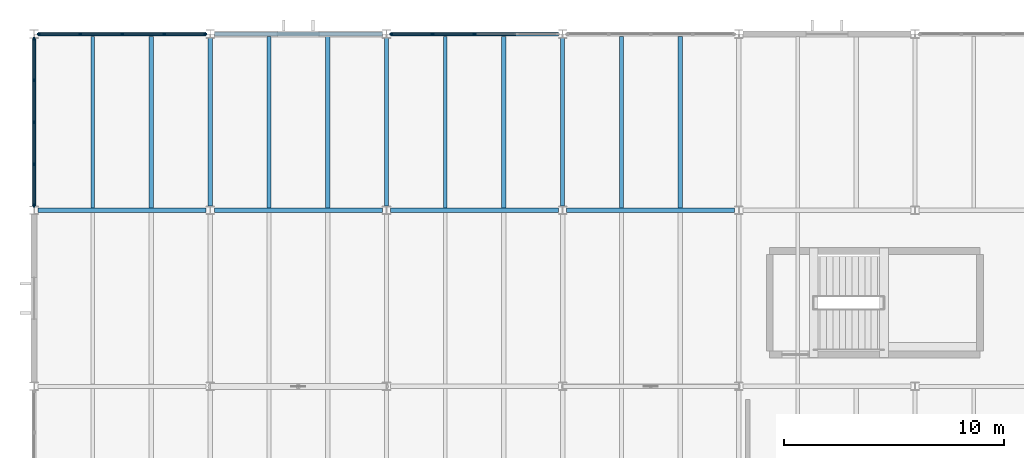
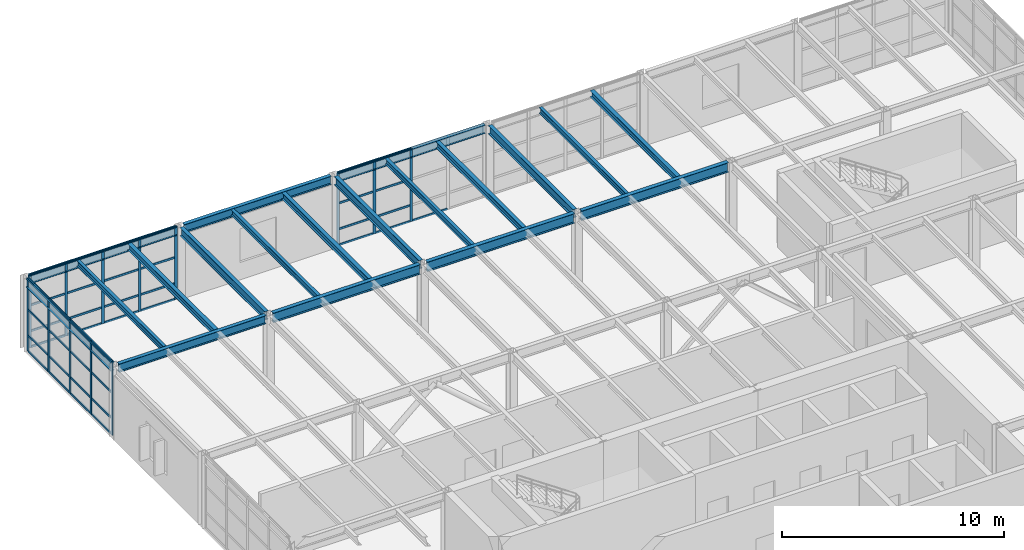
# One storey, part 18 of 50: 54 members, 19 beams, 3 elements without a shape of their own.
"""IFC4 building model written with IfcOpenShell, lengths in metres."""

from ifc_helpers import new_model, si_unit, direction, frame, origin, origin_2d, place, context, subcontext, project, spatial, rectangle, i_section, extrude, material, layer, layer_set, material_profile, profile_set, type_object, element, aggregate, save


model = new_model("IFC4")

# Units and contexts
model_context = context("Model", 3, precision=1e-05, world=origin(), true_north=direction((0.0, 1.0)))
body_context = subcontext(model_context, "Body", "Model", "MODEL_VIEW")
ifc_project = project(units=[si_unit("LENGTHUNIT", "METRE"), si_unit("AREAUNIT", "SQUARE_METRE"), si_unit("VOLUMEUNIT", "CUBIC_METRE"), si_unit("PLANEANGLEUNIT", "RADIAN"), si_unit("MASSUNIT", "GRAM", prefix="KILO")], contexts=[model_context])

# Site, building, storey
site_placement = place(None, origin())
site = spatial("IfcSite", under=ifc_project, at=site_placement, CompositionType="ELEMENT")
building_placement = place(site_placement, origin())
building = spatial("IfcBuilding", under=site, at=building_placement, Name="Varnela Railside Interchange", CompositionType="ELEMENT")
storey_placement = place(building_placement, frame((0.0, 0.0, 15.39990234375)))
storey = spatial("IfcBuildingStorey", under=building, at=storey_placement, Name="L03", CompositionType="ELEMENT", Elevation=15.39990234375)

# Beams
ifc_material_1 = material(Name="Steel AR 350 (350 MPa)", Category="steel")
ifc_material_profile_1 = material_profile(ifc_material_1, i_section(OverallWidth=0.1650390625, OverallDepth=0.31005859375, WebThickness=0.005859375, FlangeThickness=0.009765625, at=origin_2d()), Name="W310x38.7")
ifc_profile_set_1 = profile_set([ifc_material_profile_1], Name="Steel AR 350 (350 MPa)")
beam_type_1 = type_object("IfcBeamType", Name="Composite Floor Joist J-04", PredefinedType="JOIST", material=ifc_profile_set_1)
for number, where, z_axis, x_axis, name in (
    (1, (6.669921875, 86.1044921875, 3.84521484375), (0.0, 1.0, 0.0), (-1.0, 0.0, 0.0), "Composite Floor Joist J-04 (L03) (BM-2118)"),
    (2, (14.669921875, 86.1044921875, 3.84521484375), (0.0, 1.0, 0.0), (-1.0, 0.0, 0.0), "Composite Floor Joist J-04 (L03) (BM-2167)"),
    (3, (22.669921875, 86.1044921875, 3.84521484375), (0.0, 1.0, 0.0), (-1.0, 0.0, 0.0), "Composite Floor Joist J-04 (L03) (BM-2175)"),
    (4, (30.669921875, 86.1044921875, 3.84521484375), (0.0, 1.0, 0.0), (-1.0, 0.0, 0.0), "Composite Floor Joist J-04 (L03) (BM-2183)"),
):
    element("IfcBeam", number, at=place(storey_placement, frame(where, z_axis=z_axis, x_axis=x_axis)), inside=storey, type_object=beam_type_1, Name=name, PredefinedType="JOIST", context=body_context, shape_type="SweptSolid", body=[
        extrude(i_section(OverallWidth=0.1650390625, OverallDepth=0.31005859375, WebThickness=0.005859375, FlangeThickness=0.009765625, at=origin_2d()), origin(), (0.0, 0.0, 1.0), 7.791015625),
    ])
ifc_material_profile_2 = material_profile(ifc_material_1, i_section(OverallWidth=0.208984375, OverallDepth=0.532958984375, WebThickness=0.01025390625, FlangeThickness=0.015625, at=origin_2d()), Name="W530x92")
ifc_profile_set_2 = profile_set([ifc_material_profile_2], Name="Steel AR 350 (350 MPa)")
beam_type_2 = type_object("IfcBeamType", Name="Composite Girder B-18", PredefinedType="BEAM", material=ifc_profile_set_2)
for number, where, z_axis, x_axis, name in (
    (5, (12.1865234375, 86.0, 3.733642578125), (1.0, 0.0, 0.0), (0.0, 1.0, 0.0), "Composite Girder B-18 (L03) (BM-2260)"),
    (6, (20.1865234375, 86.0, 3.733642578125), (1.0, 0.0, 0.0), (0.0, 1.0, 0.0), "Composite Girder B-18 (L03) (BM-2262)"),
    (7, (28.1865234375, 86.0, 3.733642578125), (1.0, 0.0, 0.0), (0.0, 1.0, 0.0), "Composite Girder B-18 (L03) (BM-2263)"),
):
    element("IfcBeam", number, at=place(storey_placement, frame(where, z_axis=z_axis, x_axis=x_axis)), inside=storey, type_object=beam_type_2, Name=name, PredefinedType="BEAM", context=body_context, shape_type="SweptSolid", body=[
        extrude(i_section(OverallWidth=0.208984375, OverallDepth=0.532958984375, WebThickness=0.01025390625, FlangeThickness=0.015625, at=origin_2d()), origin(), (0.0, 0.0, 1.0), 7.626953125),
    ])
ifc_material_profile_3 = material_profile(ifc_material_1, i_section(OverallWidth=0.202880859375, OverallDepth=0.346923828125, WebThickness=0.0078125, FlangeThickness=0.013427734375, at=origin_2d()), Name="W360x64")
ifc_profile_set_3 = profile_set([ifc_material_profile_3], Name="Steel AR 350 (350 MPa)")
beam_type_3 = type_object("IfcBeamType", Name="Composite Heavy Joist J-01", PredefinedType="JOIST", material=ifc_profile_set_3)
for number, where, z_axis, x_axis, name in (
    (8, (9.330078125, 86.1044921875, 3.82666015625), (0.0, 1.0, 0.0), (-1.0, 0.0, 0.0), "Composite Heavy Joist J-01 (L03) (BM-2119)"),
    (9, (17.330078125, 86.1044921875, 3.82666015625), (0.0, 1.0, 0.0), (-1.0, 0.0, 0.0), "Composite Heavy Joist J-01 (L03) (BM-2168)"),
    (10, (25.330078125, 86.1044921875, 3.82666015625), (0.0, 1.0, 0.0), (-1.0, 0.0, 0.0), "Composite Heavy Joist J-01 (L03) (BM-2176)"),
    (11, (33.330078125, 86.1044921875, 3.82666015625), (0.0, 1.0, 0.0), (-1.0, 0.0, 0.0), "Composite Heavy Joist J-01 (L03) (BM-2184)"),
):
    element("IfcBeam", number, at=place(storey_placement, frame(where, z_axis=z_axis, x_axis=x_axis)), inside=storey, type_object=beam_type_3, Name=name, PredefinedType="JOIST", context=body_context, shape_type="SweptSolid", body=[
        extrude(i_section(OverallWidth=0.202880859375, OverallDepth=0.346923828125, WebThickness=0.0078125, FlangeThickness=0.013427734375, at=origin_2d()), origin(), (0.0, 0.0, 1.0), 7.791015625),
    ])

# Curtain wall, members
ifc_material_2 = material(Name="Aluminium 6063-T6", Category="aluminium")
ifc_layer = layer(ifc_material_2, 0.035888671875)
ifc_layer_set = layer_set([ifc_layer], Name="Aluminium 6063-T6")
curtain_wall_type = type_object("IfcCurtainWallType", Name="Operations Wing Facade Curtain Wall CW-03", PredefinedType="USERDEFINED", material=ifc_layer_set)
curtain_wall_1_placement = place(storey_placement, origin())
curtain_wall_1 = element("IfcCurtainWall", 12, at=curtain_wall_1_placement, inside=storey, type_object=curtain_wall_type, Name="Curtain Wall CW-03 (L03) (CW-079)", ObjectType="CURTAIN WALL", PredefinedType="USERDEFINED")
ifc_material_profile_4 = material_profile(ifc_material_2, rectangle(XDim=0.06005859375, YDim=0.139892578125, at=origin_2d()), Name="ALU 60x140")
ifc_profile_set_4 = profile_set([ifc_material_profile_4], Name="Aluminium 6063-T6")
member_type_1 = type_object("IfcMemberType", Name="Curtain Wall Mullion ML-01", PredefinedType="MULLION", material=ifc_profile_set_4)
member_1_placement = place(storey_placement, frame((4.0, 86.214111328125, 0.0), z_axis=(0.0, 0.0, 1.0), x_axis=(-1.0, 0.0, 0.0)))
member_1 = element("IfcMember", 13, at=member_1_placement, type_object=member_type_1, Name="CW-03 mullion 1", PredefinedType="MULLION", context=body_context, shape_type="SweptSolid", body=[
    extrude(rectangle(XDim=0.06005859375, YDim=0.139892578125, at=origin_2d()), origin(), (0.0, 0.0, 1.0), 4.0),
])
member_2_placement = place(storey_placement, frame((4.0, 88.092041015625, 0.0), z_axis=(0.0, 0.0, 1.0), x_axis=(-1.0, 0.0, 0.0)))
member_2 = element("IfcMember", 14, at=member_2_placement, type_object=member_type_1, Name="CW-03 mullion 2", PredefinedType="MULLION", context=body_context, shape_type="SweptSolid", body=[
    extrude(rectangle(XDim=0.06005859375, YDim=0.139892578125, at=origin_2d()), origin(), (0.0, 0.0, 1.0), 4.0),
])
member_3_placement = place(storey_placement, frame((4.0, 90.0, 0.0), z_axis=(0.0, 0.0, 1.0), x_axis=(-1.0, 0.0, 0.0)))
member_3 = element("IfcMember", 15, at=member_3_placement, type_object=member_type_1, Name="CW-03 mullion 3", PredefinedType="MULLION", context=body_context, shape_type="SweptSolid", body=[
    extrude(rectangle(XDim=0.06005859375, YDim=0.139892578125, at=origin_2d()), origin(), (0.0, 0.0, 1.0), 4.0),
])
member_4_placement = place(storey_placement, frame((4.0, 91.907958984375, 0.0), z_axis=(0.0, 0.0, 1.0), x_axis=(-1.0, 0.0, 0.0)))
member_4 = element("IfcMember", 16, at=member_4_placement, type_object=member_type_1, Name="CW-03 mullion 4", PredefinedType="MULLION", context=body_context, shape_type="SweptSolid", body=[
    extrude(rectangle(XDim=0.06005859375, YDim=0.139892578125, at=origin_2d()), origin(), (0.0, 0.0, 1.0), 4.0),
])
member_5_placement = place(storey_placement, frame((4.0, 93.785888671875, 0.0), z_axis=(0.0, 0.0, 1.0), x_axis=(-1.0, 0.0, 0.0)))
member_5 = element("IfcMember", 17, at=member_5_placement, type_object=member_type_1, Name="CW-03 mullion 5", PredefinedType="MULLION", context=body_context, shape_type="SweptSolid", body=[
    extrude(rectangle(XDim=0.06005859375, YDim=0.139892578125, at=origin_2d()), origin(), (0.0, 0.0, 1.0), 4.0),
])

curtain_wall_2_placement = place(storey_placement, origin())
curtain_wall_2 = element("IfcCurtainWall", 18, at=curtain_wall_2_placement, inside=storey, type_object=curtain_wall_type, Name="Curtain Wall CW-03 (L03) (CW-080)", ObjectType="CURTAIN WALL", PredefinedType="USERDEFINED")
member_6_placement = place(storey_placement, frame((4.216552734375, 94.0, 0.0), z_axis=(0.0, 0.0, 1.0), x_axis=(0.0, 1.0, 0.0)))
member_6 = element("IfcMember", 19, at=member_6_placement, type_object=member_type_1, Name="CW-03 mullion 1", PredefinedType="MULLION", context=body_context, shape_type="SweptSolid", body=[
    extrude(rectangle(XDim=0.06005859375, YDim=0.139892578125, at=origin_2d()), origin(), (0.0, 0.0, 1.0), 4.0),
])
member_7_placement = place(storey_placement, frame((6.09326171875, 94.0, 0.0), z_axis=(0.0, 0.0, 1.0), x_axis=(0.0, 1.0, 0.0)))
member_7 = element("IfcMember", 20, at=member_7_placement, type_object=member_type_1, Name="CW-03 mullion 2", PredefinedType="MULLION", context=body_context, shape_type="SweptSolid", body=[
    extrude(rectangle(XDim=0.06005859375, YDim=0.139892578125, at=origin_2d()), origin(), (0.0, 0.0, 1.0), 4.0),
])
member_8_placement = place(storey_placement, frame((8.0, 94.0, 0.0), z_axis=(0.0, 0.0, 1.0), x_axis=(0.0, 1.0, 0.0)))
member_8 = element("IfcMember", 21, at=member_8_placement, type_object=member_type_1, Name="CW-03 mullion 3", PredefinedType="MULLION", context=body_context, shape_type="SweptSolid", body=[
    extrude(rectangle(XDim=0.06005859375, YDim=0.139892578125, at=origin_2d()), origin(), (0.0, 0.0, 1.0), 4.0),
])
member_9_placement = place(storey_placement, frame((9.90673828125, 94.0, 0.0), z_axis=(0.0, 0.0, 1.0), x_axis=(0.0, 1.0, 0.0)))
member_9 = element("IfcMember", 22, at=member_9_placement, type_object=member_type_1, Name="CW-03 mullion 4", PredefinedType="MULLION", context=body_context, shape_type="SweptSolid", body=[
    extrude(rectangle(XDim=0.06005859375, YDim=0.139892578125, at=origin_2d()), origin(), (0.0, 0.0, 1.0), 4.0),
])
member_10_placement = place(storey_placement, frame((11.783447265625, 94.0, 0.0), z_axis=(0.0, 0.0, 1.0), x_axis=(0.0, 1.0, 0.0)))
member_10 = element("IfcMember", 23, at=member_10_placement, type_object=member_type_1, Name="CW-03 mullion 5", PredefinedType="MULLION", context=body_context, shape_type="SweptSolid", body=[
    extrude(rectangle(XDim=0.06005859375, YDim=0.139892578125, at=origin_2d()), origin(), (0.0, 0.0, 1.0), 4.0),
])

curtain_wall_3_placement = place(storey_placement, origin())
curtain_wall_3 = element("IfcCurtainWall", 24, at=curtain_wall_3_placement, inside=storey, type_object=curtain_wall_type, Name="Curtain Wall CW-03 (L03) (CW-081)", ObjectType="CURTAIN WALL", PredefinedType="USERDEFINED")
member_11_placement = place(storey_placement, frame((20.216552734375, 94.0, 0.0), z_axis=(0.0, 0.0, 1.0), x_axis=(0.0, 1.0, 0.0)))
member_11 = element("IfcMember", 25, at=member_11_placement, type_object=member_type_1, Name="CW-03 mullion 1", PredefinedType="MULLION", context=body_context, shape_type="SweptSolid", body=[
    extrude(rectangle(XDim=0.06005859375, YDim=0.139892578125, at=origin_2d()), origin(), (0.0, 0.0, 1.0), 4.0),
])
member_12_placement = place(storey_placement, frame((22.09326171875, 94.0, 0.0), z_axis=(0.0, 0.0, 1.0), x_axis=(0.0, 1.0, 0.0)))
member_12 = element("IfcMember", 26, at=member_12_placement, type_object=member_type_1, Name="CW-03 mullion 2", PredefinedType="MULLION", context=body_context, shape_type="SweptSolid", body=[
    extrude(rectangle(XDim=0.06005859375, YDim=0.139892578125, at=origin_2d()), origin(), (0.0, 0.0, 1.0), 4.0),
])
member_13_placement = place(storey_placement, frame((24.0, 94.0, 0.0), z_axis=(0.0, 0.0, 1.0), x_axis=(0.0, 1.0, 0.0)))
member_13 = element("IfcMember", 27, at=member_13_placement, type_object=member_type_1, Name="CW-03 mullion 3", PredefinedType="MULLION", context=body_context, shape_type="SweptSolid", body=[
    extrude(rectangle(XDim=0.06005859375, YDim=0.139892578125, at=origin_2d()), origin(), (0.0, 0.0, 1.0), 4.0),
])

# Member
ifc_material_profile_5 = material_profile(ifc_material_2, rectangle(XDim=0.06005859375, YDim=0.110107421875, at=origin_2d()), Name="ALU 60x110")
ifc_profile_set_5 = profile_set([ifc_material_profile_5], Name="Aluminium 6063-T6")
member_type_2 = type_object("IfcMemberType", Name="Curtain Wall Transom TR-01", PredefinedType="USERDEFINED", material=ifc_profile_set_5)
member_14_placement = place(storey_placement, frame((4.0, 86.243896484375, 0.030029296875), z_axis=(0.0, 1.0, 0.0), x_axis=(-1.0, 0.0, 0.0)))
member_14 = element("IfcMember", 28, at=member_14_placement, type_object=member_type_2, Name="CW-03 transom 1.1", ObjectType="TRANSOM", PredefinedType="USERDEFINED", context=body_context, shape_type="SweptSolid", body=[
    extrude(rectangle(XDim=0.06005859375, YDim=0.110107421875, at=origin_2d()), origin(), (0.0, 0.0, 1.0), 1.818115234375),
])

member_15_placement = place(storey_placement, frame((4.0, 86.243896484375, 0.900146484375), z_axis=(0.0, 1.0, 0.0), x_axis=(-1.0, 0.0, 0.0)))
member_15 = element("IfcMember", 29, at=member_15_placement, type_object=member_type_2, Name="CW-03 transom 1.2", ObjectType="TRANSOM", PredefinedType="USERDEFINED", context=body_context, shape_type="SweptSolid", body=[
    extrude(rectangle(XDim=0.06005859375, YDim=0.110107421875, at=origin_2d()), origin(), (0.0, 0.0, 1.0), 1.818115234375),
])

member_16_placement = place(storey_placement, frame((4.0, 86.243896484375, 2.320068359375), z_axis=(0.0, 1.0, 0.0), x_axis=(-1.0, 0.0, 0.0)))
member_16 = element("IfcMember", 30, at=member_16_placement, type_object=member_type_2, Name="CW-03 transom 1.3", ObjectType="TRANSOM", PredefinedType="USERDEFINED", context=body_context, shape_type="SweptSolid", body=[
    extrude(rectangle(XDim=0.06005859375, YDim=0.110107421875, at=origin_2d()), origin(), (0.0, 0.0, 1.0), 1.818115234375),
])

member_17_placement = place(storey_placement, frame((4.0, 86.243896484375, 3.97021484375), z_axis=(0.0, 1.0, 0.0), x_axis=(-1.0, 0.0, 0.0)))
member_17 = element("IfcMember", 31, at=member_17_placement, type_object=member_type_2, Name="CW-03 transom 1.4", ObjectType="TRANSOM", PredefinedType="USERDEFINED", context=body_context, shape_type="SweptSolid", body=[
    extrude(rectangle(XDim=0.06005859375, YDim=0.110107421875, at=origin_2d()), origin(), (0.0, 0.0, 1.0), 1.818115234375),
])

member_18_placement = place(storey_placement, frame((4.0, 88.1220703125, 0.030029296875), z_axis=(0.0, 1.0, 0.0), x_axis=(-1.0, 0.0, 0.0)))
member_18 = element("IfcMember", 32, at=member_18_placement, type_object=member_type_2, Name="CW-03 transom 2.1", ObjectType="TRANSOM", PredefinedType="USERDEFINED", context=body_context, shape_type="SweptSolid", body=[
    extrude(rectangle(XDim=0.06005859375, YDim=0.110107421875, at=origin_2d()), origin(), (0.0, 0.0, 1.0), 1.847900390625),
])

member_19_placement = place(storey_placement, frame((4.0, 88.1220703125, 0.900146484375), z_axis=(0.0, 1.0, 0.0), x_axis=(-1.0, 0.0, 0.0)))
member_19 = element("IfcMember", 33, at=member_19_placement, type_object=member_type_2, Name="CW-03 transom 2.2", ObjectType="TRANSOM", PredefinedType="USERDEFINED", context=body_context, shape_type="SweptSolid", body=[
    extrude(rectangle(XDim=0.06005859375, YDim=0.110107421875, at=origin_2d()), origin(), (0.0, 0.0, 1.0), 1.847900390625),
])

member_20_placement = place(storey_placement, frame((4.0, 88.1220703125, 2.320068359375), z_axis=(0.0, 1.0, 0.0), x_axis=(-1.0, 0.0, 0.0)))
member_20 = element("IfcMember", 34, at=member_20_placement, type_object=member_type_2, Name="CW-03 transom 2.3", ObjectType="TRANSOM", PredefinedType="USERDEFINED", context=body_context, shape_type="SweptSolid", body=[
    extrude(rectangle(XDim=0.06005859375, YDim=0.110107421875, at=origin_2d()), origin(), (0.0, 0.0, 1.0), 1.847900390625),
])

member_21_placement = place(storey_placement, frame((4.0, 88.1220703125, 3.97021484375), z_axis=(0.0, 1.0, 0.0), x_axis=(-1.0, 0.0, 0.0)))
member_21 = element("IfcMember", 35, at=member_21_placement, type_object=member_type_2, Name="CW-03 transom 2.4", ObjectType="TRANSOM", PredefinedType="USERDEFINED", context=body_context, shape_type="SweptSolid", body=[
    extrude(rectangle(XDim=0.06005859375, YDim=0.110107421875, at=origin_2d()), origin(), (0.0, 0.0, 1.0), 1.847900390625),
])

member_22_placement = place(storey_placement, frame((4.0, 90.030029296875, 0.030029296875), z_axis=(0.0, 1.0, 0.0), x_axis=(-1.0, 0.0, 0.0)))
member_22 = element("IfcMember", 36, at=member_22_placement, type_object=member_type_2, Name="CW-03 transom 3.1", ObjectType="TRANSOM", PredefinedType="USERDEFINED", context=body_context, shape_type="SweptSolid", body=[
    extrude(rectangle(XDim=0.06005859375, YDim=0.110107421875, at=origin_2d()), origin(), (0.0, 0.0, 1.0), 1.847900390625),
])

member_23_placement = place(storey_placement, frame((4.0, 90.030029296875, 0.900146484375), z_axis=(0.0, 1.0, 0.0), x_axis=(-1.0, 0.0, 0.0)))
member_23 = element("IfcMember", 37, at=member_23_placement, type_object=member_type_2, Name="CW-03 transom 3.2", ObjectType="TRANSOM", PredefinedType="USERDEFINED", context=body_context, shape_type="SweptSolid", body=[
    extrude(rectangle(XDim=0.06005859375, YDim=0.110107421875, at=origin_2d()), origin(), (0.0, 0.0, 1.0), 1.847900390625),
])

member_24_placement = place(storey_placement, frame((4.0, 90.030029296875, 2.320068359375), z_axis=(0.0, 1.0, 0.0), x_axis=(-1.0, 0.0, 0.0)))
member_24 = element("IfcMember", 38, at=member_24_placement, type_object=member_type_2, Name="CW-03 transom 3.3", ObjectType="TRANSOM", PredefinedType="USERDEFINED", context=body_context, shape_type="SweptSolid", body=[
    extrude(rectangle(XDim=0.06005859375, YDim=0.110107421875, at=origin_2d()), origin(), (0.0, 0.0, 1.0), 1.847900390625),
])

member_25_placement = place(storey_placement, frame((4.0, 90.030029296875, 3.97021484375), z_axis=(0.0, 1.0, 0.0), x_axis=(-1.0, 0.0, 0.0)))
member_25 = element("IfcMember", 39, at=member_25_placement, type_object=member_type_2, Name="CW-03 transom 3.4", ObjectType="TRANSOM", PredefinedType="USERDEFINED", context=body_context, shape_type="SweptSolid", body=[
    extrude(rectangle(XDim=0.06005859375, YDim=0.110107421875, at=origin_2d()), origin(), (0.0, 0.0, 1.0), 1.847900390625),
])

member_26_placement = place(storey_placement, frame((4.0, 91.93798828125, 0.030029296875), z_axis=(0.0, 1.0, 0.0), x_axis=(-1.0, 0.0, 0.0)))
member_26 = element("IfcMember", 40, at=member_26_placement, type_object=member_type_2, Name="CW-03 transom 4.1", ObjectType="TRANSOM", PredefinedType="USERDEFINED", context=body_context, shape_type="SweptSolid", body=[
    extrude(rectangle(XDim=0.06005859375, YDim=0.110107421875, at=origin_2d()), origin(), (0.0, 0.0, 1.0), 1.818115234375),
])

member_27_placement = place(storey_placement, frame((4.0, 91.93798828125, 0.900146484375), z_axis=(0.0, 1.0, 0.0), x_axis=(-1.0, 0.0, 0.0)))
member_27 = element("IfcMember", 41, at=member_27_placement, type_object=member_type_2, Name="CW-03 transom 4.2", ObjectType="TRANSOM", PredefinedType="USERDEFINED", context=body_context, shape_type="SweptSolid", body=[
    extrude(rectangle(XDim=0.06005859375, YDim=0.110107421875, at=origin_2d()), origin(), (0.0, 0.0, 1.0), 1.818115234375),
])

member_28_placement = place(storey_placement, frame((4.0, 91.93798828125, 2.320068359375), z_axis=(0.0, 1.0, 0.0), x_axis=(-1.0, 0.0, 0.0)))
member_28 = element("IfcMember", 42, at=member_28_placement, type_object=member_type_2, Name="CW-03 transom 4.3", ObjectType="TRANSOM", PredefinedType="USERDEFINED", context=body_context, shape_type="SweptSolid", body=[
    extrude(rectangle(XDim=0.06005859375, YDim=0.110107421875, at=origin_2d()), origin(), (0.0, 0.0, 1.0), 1.818115234375),
])

member_29_placement = place(storey_placement, frame((4.0, 91.93798828125, 3.97021484375), z_axis=(0.0, 1.0, 0.0), x_axis=(-1.0, 0.0, 0.0)))
member_29 = element("IfcMember", 43, at=member_29_placement, type_object=member_type_2, Name="CW-03 transom 4.4", ObjectType="TRANSOM", PredefinedType="USERDEFINED", context=body_context, shape_type="SweptSolid", body=[
    extrude(rectangle(XDim=0.06005859375, YDim=0.110107421875, at=origin_2d()), origin(), (0.0, 0.0, 1.0), 1.818115234375),
])

aggregate(curtain_wall_1, [member_1, member_2, member_3, member_4, member_5, member_14, member_15, member_16, member_17, member_18, member_19, member_20, member_21, member_22, member_23, member_24, member_25, member_26, member_27, member_28, member_29])

member_30_placement = place(storey_placement, frame((4.24658203125, 94.0, 0.030029296875), z_axis=(1.0, 0.0, 0.0), x_axis=(0.0, 1.0, 0.0)))
member_30 = element("IfcMember", 44, at=member_30_placement, type_object=member_type_2, Name="CW-03 transom 1.1", ObjectType="TRANSOM", PredefinedType="USERDEFINED", context=body_context, shape_type="SweptSolid", body=[
    extrude(rectangle(XDim=0.06005859375, YDim=0.110107421875, at=origin_2d()), origin(), (0.0, 0.0, 1.0), 1.816650390625),
])

member_31_placement = place(storey_placement, frame((4.24658203125, 94.0, 0.900146484375), z_axis=(1.0, 0.0, 0.0), x_axis=(0.0, 1.0, 0.0)))
member_31 = element("IfcMember", 45, at=member_31_placement, type_object=member_type_2, Name="CW-03 transom 1.2", ObjectType="TRANSOM", PredefinedType="USERDEFINED", context=body_context, shape_type="SweptSolid", body=[
    extrude(rectangle(XDim=0.06005859375, YDim=0.110107421875, at=origin_2d()), origin(), (0.0, 0.0, 1.0), 1.816650390625),
])

member_32_placement = place(storey_placement, frame((4.24658203125, 94.0, 2.320068359375), z_axis=(1.0, 0.0, 0.0), x_axis=(0.0, 1.0, 0.0)))
member_32 = element("IfcMember", 46, at=member_32_placement, type_object=member_type_2, Name="CW-03 transom 1.3", ObjectType="TRANSOM", PredefinedType="USERDEFINED", context=body_context, shape_type="SweptSolid", body=[
    extrude(rectangle(XDim=0.06005859375, YDim=0.110107421875, at=origin_2d()), origin(), (0.0, 0.0, 1.0), 1.816650390625),
])

member_33_placement = place(storey_placement, frame((4.24658203125, 94.0, 3.97021484375), z_axis=(1.0, 0.0, 0.0), x_axis=(0.0, 1.0, 0.0)))
member_33 = element("IfcMember", 47, at=member_33_placement, type_object=member_type_2, Name="CW-03 transom 1.4", ObjectType="TRANSOM", PredefinedType="USERDEFINED", context=body_context, shape_type="SweptSolid", body=[
    extrude(rectangle(XDim=0.06005859375, YDim=0.110107421875, at=origin_2d()), origin(), (0.0, 0.0, 1.0), 1.816650390625),
])

member_34_placement = place(storey_placement, frame((6.123291015625, 94.0, 0.030029296875), z_axis=(1.0, 0.0, 0.0), x_axis=(0.0, 1.0, 0.0)))
member_34 = element("IfcMember", 48, at=member_34_placement, type_object=member_type_2, Name="CW-03 transom 2.1", ObjectType="TRANSOM", PredefinedType="USERDEFINED", context=body_context, shape_type="SweptSolid", body=[
    extrude(rectangle(XDim=0.06005859375, YDim=0.110107421875, at=origin_2d()), origin(), (0.0, 0.0, 1.0), 1.8466796875),
])

member_35_placement = place(storey_placement, frame((6.123291015625, 94.0, 0.900146484375), z_axis=(1.0, 0.0, 0.0), x_axis=(0.0, 1.0, 0.0)))
member_35 = element("IfcMember", 49, at=member_35_placement, type_object=member_type_2, Name="CW-03 transom 2.2", ObjectType="TRANSOM", PredefinedType="USERDEFINED", context=body_context, shape_type="SweptSolid", body=[
    extrude(rectangle(XDim=0.06005859375, YDim=0.110107421875, at=origin_2d()), origin(), (0.0, 0.0, 1.0), 1.8466796875),
])

member_36_placement = place(storey_placement, frame((6.123291015625, 94.0, 2.320068359375), z_axis=(1.0, 0.0, 0.0), x_axis=(0.0, 1.0, 0.0)))
member_36 = element("IfcMember", 50, at=member_36_placement, type_object=member_type_2, Name="CW-03 transom 2.3", ObjectType="TRANSOM", PredefinedType="USERDEFINED", context=body_context, shape_type="SweptSolid", body=[
    extrude(rectangle(XDim=0.06005859375, YDim=0.110107421875, at=origin_2d()), origin(), (0.0, 0.0, 1.0), 1.8466796875),
])

member_37_placement = place(storey_placement, frame((6.123291015625, 94.0, 3.97021484375), z_axis=(1.0, 0.0, 0.0), x_axis=(0.0, 1.0, 0.0)))
member_37 = element("IfcMember", 51, at=member_37_placement, type_object=member_type_2, Name="CW-03 transom 2.4", ObjectType="TRANSOM", PredefinedType="USERDEFINED", context=body_context, shape_type="SweptSolid", body=[
    extrude(rectangle(XDim=0.06005859375, YDim=0.110107421875, at=origin_2d()), origin(), (0.0, 0.0, 1.0), 1.8466796875),
])

member_38_placement = place(storey_placement, frame((8.030029296875, 94.0, 0.030029296875), z_axis=(1.0, 0.0, 0.0), x_axis=(0.0, 1.0, 0.0)))
member_38 = element("IfcMember", 52, at=member_38_placement, type_object=member_type_2, Name="CW-03 transom 3.1", ObjectType="TRANSOM", PredefinedType="USERDEFINED", context=body_context, shape_type="SweptSolid", body=[
    extrude(rectangle(XDim=0.06005859375, YDim=0.110107421875, at=origin_2d()), origin(), (0.0, 0.0, 1.0), 1.8466796875),
])

member_39_placement = place(storey_placement, frame((8.030029296875, 94.0, 0.900146484375), z_axis=(1.0, 0.0, 0.0), x_axis=(0.0, 1.0, 0.0)))
member_39 = element("IfcMember", 53, at=member_39_placement, type_object=member_type_2, Name="CW-03 transom 3.2", ObjectType="TRANSOM", PredefinedType="USERDEFINED", context=body_context, shape_type="SweptSolid", body=[
    extrude(rectangle(XDim=0.06005859375, YDim=0.110107421875, at=origin_2d()), origin(), (0.0, 0.0, 1.0), 1.8466796875),
])

member_40_placement = place(storey_placement, frame((8.030029296875, 94.0, 2.320068359375), z_axis=(1.0, 0.0, 0.0), x_axis=(0.0, 1.0, 0.0)))
member_40 = element("IfcMember", 54, at=member_40_placement, type_object=member_type_2, Name="CW-03 transom 3.3", ObjectType="TRANSOM", PredefinedType="USERDEFINED", context=body_context, shape_type="SweptSolid", body=[
    extrude(rectangle(XDim=0.06005859375, YDim=0.110107421875, at=origin_2d()), origin(), (0.0, 0.0, 1.0), 1.8466796875),
])

member_41_placement = place(storey_placement, frame((8.030029296875, 94.0, 3.97021484375), z_axis=(1.0, 0.0, 0.0), x_axis=(0.0, 1.0, 0.0)))
member_41 = element("IfcMember", 55, at=member_41_placement, type_object=member_type_2, Name="CW-03 transom 3.4", ObjectType="TRANSOM", PredefinedType="USERDEFINED", context=body_context, shape_type="SweptSolid", body=[
    extrude(rectangle(XDim=0.06005859375, YDim=0.110107421875, at=origin_2d()), origin(), (0.0, 0.0, 1.0), 1.8466796875),
])

member_42_placement = place(storey_placement, frame((9.936767578125, 94.0, 0.030029296875), z_axis=(1.0, 0.0, 0.0), x_axis=(0.0, 1.0, 0.0)))
member_42 = element("IfcMember", 56, at=member_42_placement, type_object=member_type_2, Name="CW-03 transom 4.1", ObjectType="TRANSOM", PredefinedType="USERDEFINED", context=body_context, shape_type="SweptSolid", body=[
    extrude(rectangle(XDim=0.06005859375, YDim=0.110107421875, at=origin_2d()), origin(), (0.0, 0.0, 1.0), 1.816650390625),
])

member_43_placement = place(storey_placement, frame((9.936767578125, 94.0, 0.900146484375), z_axis=(1.0, 0.0, 0.0), x_axis=(0.0, 1.0, 0.0)))
member_43 = element("IfcMember", 57, at=member_43_placement, type_object=member_type_2, Name="CW-03 transom 4.2", ObjectType="TRANSOM", PredefinedType="USERDEFINED", context=body_context, shape_type="SweptSolid", body=[
    extrude(rectangle(XDim=0.06005859375, YDim=0.110107421875, at=origin_2d()), origin(), (0.0, 0.0, 1.0), 1.816650390625),
])

member_44_placement = place(storey_placement, frame((9.936767578125, 94.0, 2.320068359375), z_axis=(1.0, 0.0, 0.0), x_axis=(0.0, 1.0, 0.0)))
member_44 = element("IfcMember", 58, at=member_44_placement, type_object=member_type_2, Name="CW-03 transom 4.3", ObjectType="TRANSOM", PredefinedType="USERDEFINED", context=body_context, shape_type="SweptSolid", body=[
    extrude(rectangle(XDim=0.06005859375, YDim=0.110107421875, at=origin_2d()), origin(), (0.0, 0.0, 1.0), 1.816650390625),
])

member_45_placement = place(storey_placement, frame((9.936767578125, 94.0, 3.97021484375), z_axis=(1.0, 0.0, 0.0), x_axis=(0.0, 1.0, 0.0)))
member_45 = element("IfcMember", 59, at=member_45_placement, type_object=member_type_2, Name="CW-03 transom 4.4", ObjectType="TRANSOM", PredefinedType="USERDEFINED", context=body_context, shape_type="SweptSolid", body=[
    extrude(rectangle(XDim=0.06005859375, YDim=0.110107421875, at=origin_2d()), origin(), (0.0, 0.0, 1.0), 1.816650390625),
])

aggregate(curtain_wall_2, [member_6, member_7, member_8, member_9, member_10, member_30, member_31, member_32, member_33, member_34, member_35, member_36, member_37, member_38, member_39, member_40, member_41, member_42, member_43, member_44, member_45])

member_46_placement = place(storey_placement, frame((20.24658203125, 94.0, 0.030029296875), z_axis=(1.0, 0.0, 0.0), x_axis=(0.0, 1.0, 0.0)))
member_46 = element("IfcMember", 60, at=member_46_placement, type_object=member_type_2, Name="CW-03 transom 1.1", ObjectType="TRANSOM", PredefinedType="USERDEFINED", context=body_context, shape_type="SweptSolid", body=[
    extrude(rectangle(XDim=0.06005859375, YDim=0.110107421875, at=origin_2d()), origin(), (0.0, 0.0, 1.0), 1.816650390625),
])

member_47_placement = place(storey_placement, frame((20.24658203125, 94.0, 0.900146484375), z_axis=(1.0, 0.0, 0.0), x_axis=(0.0, 1.0, 0.0)))
member_47 = element("IfcMember", 61, at=member_47_placement, type_object=member_type_2, Name="CW-03 transom 1.2", ObjectType="TRANSOM", PredefinedType="USERDEFINED", context=body_context, shape_type="SweptSolid", body=[
    extrude(rectangle(XDim=0.06005859375, YDim=0.110107421875, at=origin_2d()), origin(), (0.0, 0.0, 1.0), 1.816650390625),
])

member_48_placement = place(storey_placement, frame((20.24658203125, 94.0, 2.320068359375), z_axis=(1.0, 0.0, 0.0), x_axis=(0.0, 1.0, 0.0)))
member_48 = element("IfcMember", 62, at=member_48_placement, type_object=member_type_2, Name="CW-03 transom 1.3", ObjectType="TRANSOM", PredefinedType="USERDEFINED", context=body_context, shape_type="SweptSolid", body=[
    extrude(rectangle(XDim=0.06005859375, YDim=0.110107421875, at=origin_2d()), origin(), (0.0, 0.0, 1.0), 1.816650390625),
])

member_49_placement = place(storey_placement, frame((20.24658203125, 94.0, 3.97021484375), z_axis=(1.0, 0.0, 0.0), x_axis=(0.0, 1.0, 0.0)))
member_49 = element("IfcMember", 63, at=member_49_placement, type_object=member_type_2, Name="CW-03 transom 1.4", ObjectType="TRANSOM", PredefinedType="USERDEFINED", context=body_context, shape_type="SweptSolid", body=[
    extrude(rectangle(XDim=0.06005859375, YDim=0.110107421875, at=origin_2d()), origin(), (0.0, 0.0, 1.0), 1.816650390625),
])

member_50_placement = place(storey_placement, frame((22.123291015625, 94.0, 0.030029296875), z_axis=(1.0, 0.0, 0.0), x_axis=(0.0, 1.0, 0.0)))
member_50 = element("IfcMember", 64, at=member_50_placement, type_object=member_type_2, Name="CW-03 transom 2.1", ObjectType="TRANSOM", PredefinedType="USERDEFINED", context=body_context, shape_type="SweptSolid", body=[
    extrude(rectangle(XDim=0.06005859375, YDim=0.110107421875, at=origin_2d()), origin(), (0.0, 0.0, 1.0), 1.8466796875),
])

member_51_placement = place(storey_placement, frame((22.123291015625, 94.0, 0.900146484375), z_axis=(1.0, 0.0, 0.0), x_axis=(0.0, 1.0, 0.0)))
member_51 = element("IfcMember", 65, at=member_51_placement, type_object=member_type_2, Name="CW-03 transom 2.2", ObjectType="TRANSOM", PredefinedType="USERDEFINED", context=body_context, shape_type="SweptSolid", body=[
    extrude(rectangle(XDim=0.06005859375, YDim=0.110107421875, at=origin_2d()), origin(), (0.0, 0.0, 1.0), 1.8466796875),
])

member_52_placement = place(storey_placement, frame((22.123291015625, 94.0, 2.320068359375), z_axis=(1.0, 0.0, 0.0), x_axis=(0.0, 1.0, 0.0)))
member_52 = element("IfcMember", 66, at=member_52_placement, type_object=member_type_2, Name="CW-03 transom 2.3", ObjectType="TRANSOM", PredefinedType="USERDEFINED", context=body_context, shape_type="SweptSolid", body=[
    extrude(rectangle(XDim=0.06005859375, YDim=0.110107421875, at=origin_2d()), origin(), (0.0, 0.0, 1.0), 1.8466796875),
])

member_53_placement = place(storey_placement, frame((22.123291015625, 94.0, 3.97021484375), z_axis=(1.0, 0.0, 0.0), x_axis=(0.0, 1.0, 0.0)))
member_53 = element("IfcMember", 67, at=member_53_placement, type_object=member_type_2, Name="CW-03 transom 2.4", ObjectType="TRANSOM", PredefinedType="USERDEFINED", context=body_context, shape_type="SweptSolid", body=[
    extrude(rectangle(XDim=0.06005859375, YDim=0.110107421875, at=origin_2d()), origin(), (0.0, 0.0, 1.0), 1.8466796875),
])

member_54_placement = place(storey_placement, frame((24.030029296875, 94.0, 0.030029296875), z_axis=(1.0, 0.0, 0.0), x_axis=(0.0, 1.0, 0.0)))
member_54 = element("IfcMember", 68, at=member_54_placement, type_object=member_type_2, Name="CW-03 transom 3.1", ObjectType="TRANSOM", PredefinedType="USERDEFINED", context=body_context, shape_type="SweptSolid", body=[
    extrude(rectangle(XDim=0.06005859375, YDim=0.110107421875, at=origin_2d()), origin(), (0.0, 0.0, 1.0), 1.8466796875),
])

aggregate(curtain_wall_3, [member_11, member_12, member_13, member_46, member_47, member_48, member_49, member_50, member_51, member_52, member_53, member_54])

# Beams
ifc_material_profile_6 = material_profile(ifc_material_1, i_section(OverallWidth=0.19091796875, OverallDepth=0.4599609375, WebThickness=0.010009765625, FlangeThickness=0.01611328125, at=origin_2d()), Name="W460x82")
ifc_profile_set_6 = profile_set([ifc_material_profile_6], Name="Steel AR 350 (350 MPa)")
beam_type_4 = type_object("IfcBeamType", Name="Steel Perimeter Spandrel SP-01", PredefinedType="SPANDREL", material=ifc_profile_set_6)
for number, where, z_axis, x_axis, name in (
    (69, (4.1865234375, 86.0, 3.77001953125), (1.0, 0.0, 0.0), (0.0, 1.0, 0.0), "Steel Perimeter Spandrel SP-01 (L03) (BM-2266)"),
    (70, (4.1865234375, 94.0, 3.77001953125), (1.0, 0.0, 0.0), (0.0, 1.0, 0.0), "Steel Perimeter Spandrel SP-01 (L03) (BM-2275)"),
    (71, (12.1865234375, 94.0, 3.77001953125), (1.0, 0.0, 0.0), (0.0, 1.0, 0.0), "Steel Perimeter Spandrel SP-01 (L03) (BM-2269)"),
    (72, (20.1865234375, 94.0, 3.77001953125), (1.0, 0.0, 0.0), (0.0, 1.0, 0.0), "Steel Perimeter Spandrel SP-01 (L03) (BM-2271)"),
):
    element("IfcBeam", number, at=place(storey_placement, frame(where, z_axis=z_axis, x_axis=x_axis)), inside=storey, type_object=beam_type_4, Name=name, PredefinedType="SPANDREL", context=body_context, shape_type="SweptSolid", body=[
        extrude(i_section(OverallWidth=0.19091796875, OverallDepth=0.4599609375, WebThickness=0.010009765625, FlangeThickness=0.01611328125, at=origin_2d()), origin(), (0.0, 0.0, 1.0), 7.626953125),
    ])
for number, where, z_axis, x_axis, name in (
    (73, (4.0, 86.18408203125, 3.77001953125), (0.0, 1.0, 0.0), (-1.0, 0.0, 0.0), "Steel Perimeter Spandrel SP-01 (L03) (BM-2308)"),
    (74, (12.0, 86.18408203125, 3.77001953125), (0.0, 1.0, 0.0), (-1.0, 0.0, 0.0), "Steel Perimeter Spandrel SP-01 (L03) (BM-2313)"),
    (75, (20.0, 86.18408203125, 3.77001953125), (0.0, 1.0, 0.0), (-1.0, 0.0, 0.0), "Steel Perimeter Spandrel SP-01 (L03) (BM-2318)"),
    (76, (28.0, 86.18408203125, 3.77001953125), (0.0, 1.0, 0.0), (-1.0, 0.0, 0.0), "Steel Perimeter Spandrel SP-01 (L03) (BM-2323)"),
):
    element("IfcBeam", number, at=place(storey_placement, frame(where, z_axis=z_axis, x_axis=x_axis)), inside=storey, type_object=beam_type_4, Name=name, PredefinedType="SPANDREL", context=body_context, shape_type="SweptSolid", body=[
        extrude(i_section(OverallWidth=0.19091796875, OverallDepth=0.4599609375, WebThickness=0.010009765625, FlangeThickness=0.01611328125, at=origin_2d()), origin(), (0.0, 0.0, 1.0), 7.6318359375),
    ])

save(model, "model.ifc")
